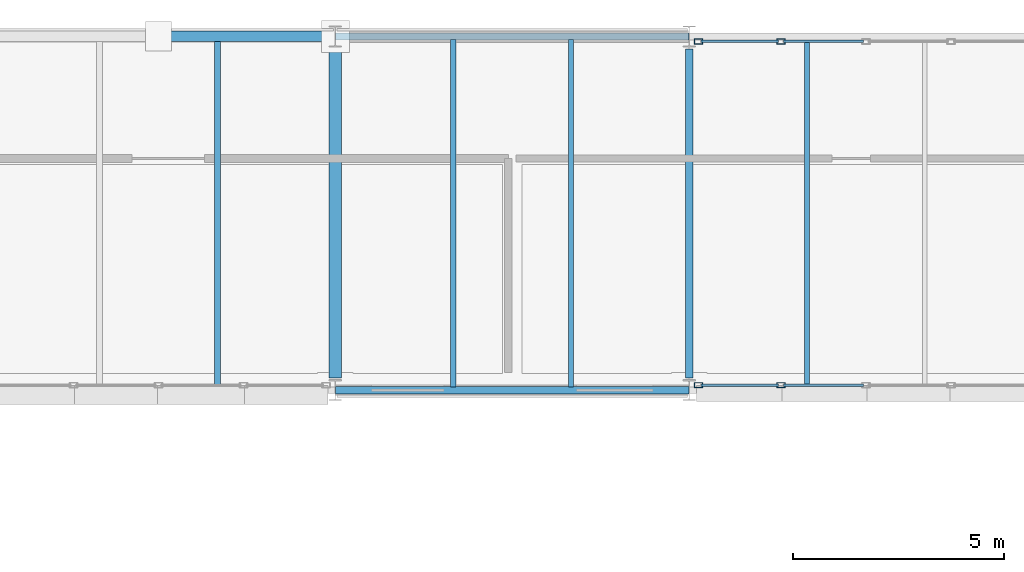
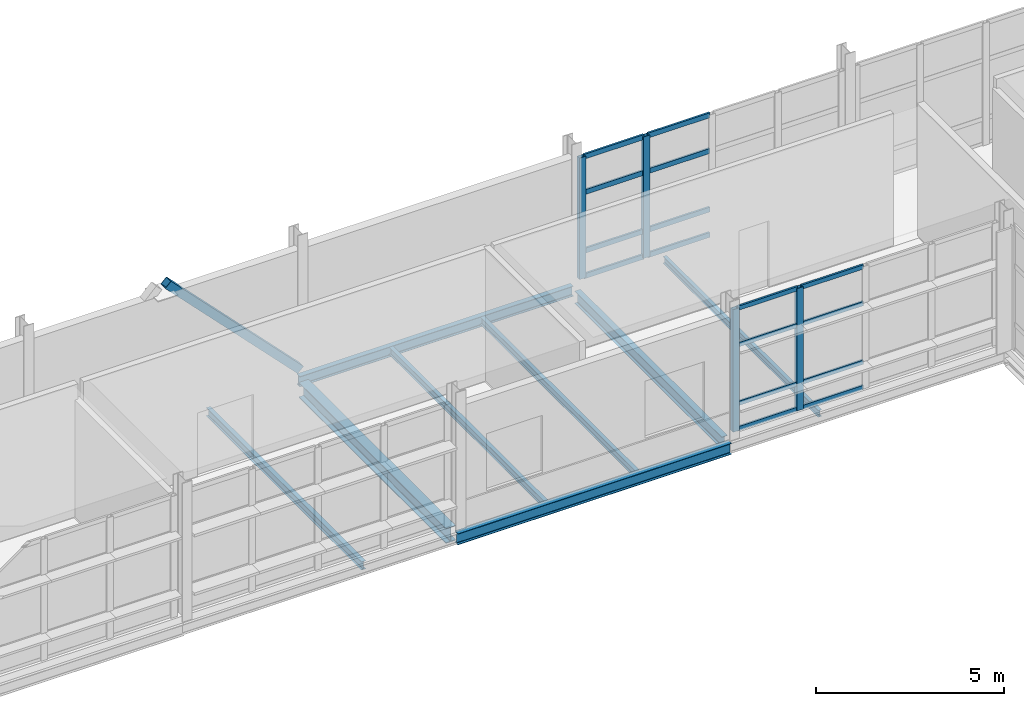
# One storey, part 53 of 129: 21 members, 8 beams, 2 elements without a shape of their own.
"""IFC4 building model written with IfcOpenShell, lengths in metres."""

from ifc_helpers import new_model, si_unit, direction, frame, origin, origin_2d, place, context, subcontext, project, spatial, hollow_rectangle, i_section, extrude, material, material_profile, profile_set, type_object, element, aggregate, save


model = new_model("IFC4")

# Units and contexts
model_context = context("Model", 3, precision=1e-05, world=origin(), true_north=direction((0.0, 1.0)))
body_context = subcontext(model_context, "Body", "Model", "MODEL_VIEW")
ifc_project = project(units=[si_unit("LENGTHUNIT", "METRE"), si_unit("AREAUNIT", "SQUARE_METRE"), si_unit("VOLUMEUNIT", "CUBIC_METRE"), si_unit("PLANEANGLEUNIT", "RADIAN"), si_unit("MASSUNIT", "GRAM", prefix="KILO")], contexts=[model_context])

# Site, building, storey
site_placement = place(None, origin())
site = spatial("IfcSite", under=ifc_project, at=site_placement, CompositionType="ELEMENT")
building_placement = place(site_placement, origin())
building = spatial("IfcBuilding", under=site, at=building_placement, Name="Mersafa Astral City Hall", CompositionType="ELEMENT")
storey_placement = place(building_placement, frame((0.0, 0.0, 5.39990234375)))
storey = spatial("IfcBuildingStorey", under=building, at=storey_placement, Name="L01", CompositionType="ELEMENT", Elevation=5.39990234375)

# Curtain wall, members
ifc_material_1 = material(Name="Anodised bronze aluminium framing", Category="aluminium")
curtain_wall_type_1 = type_object("IfcCurtainWallType", Name="ENV-CW-1", PredefinedType="USERDEFINED", material=ifc_material_1)
curtain_wall_1_placement = place(storey_placement, origin())
curtain_wall_1 = element("IfcCurtainWall", 1, at=curtain_wall_1_placement, inside=storey, type_object=curtain_wall_type_1, Name="L01 Unitised solar curtain wall 78", ObjectType="UNITISED CURTAIN WALL", PredefinedType="USERDEFINED")
ifc_material_profile_1 = material_profile(ifc_material_1, hollow_rectangle(XDim=0.1201171875, YDim=0.199951171875, WallThickness=0.008056640625, at=origin_2d()), Name="RHS 120x200x8")
ifc_profile_set_1 = profile_set([ifc_material_profile_1], Name="Anodised bronze aluminium framing")
member_type_1 = type_object("IfcMemberType", Name="ENV-CW-MUL-2", PredefinedType="MULLION", material=ifc_profile_set_1)
member_1_placement = place(storey_placement, frame((94.5810546875, 125.8798828125, -0.001953125), z_axis=(0.0, 0.0, 1.0), x_axis=(0.0, -1.0, 0.0)))
member_1 = element("IfcMember", 2, at=member_1_placement, type_object=member_type_1, Name="CW-1 mullion 4", PredefinedType="MULLION", context=body_context, shape_type="SweptSolid", body=[
    extrude(hollow_rectangle(XDim=0.1201171875, YDim=0.199951171875, WallThickness=0.008056640625, at=origin_2d()), origin(), (0.0, 0.0, 1.0), 3.93896484375),
])
member_2_placement = place(storey_placement, frame((92.6220703125, 125.8798828125, -0.001953125), z_axis=(0.0, 0.0, 1.0), x_axis=(0.0, -1.0, 0.0)))
member_2 = element("IfcMember", 3, at=member_2_placement, type_object=member_type_1, Name="CW-1 mullion 5", PredefinedType="MULLION", context=body_context, shape_type="SweptSolid", body=[
    extrude(hollow_rectangle(XDim=0.1201171875, YDim=0.199951171875, WallThickness=0.008056640625, at=origin_2d()), origin(), (0.0, 0.0, 1.0), 3.93896484375),
])

curtain_wall_type_2 = type_object("IfcCurtainWallType", Name="ENV-CW-6", PredefinedType="USERDEFINED", material=ifc_material_1)
curtain_wall_2_placement = place(storey_placement, origin())
curtain_wall_2 = element("IfcCurtainWall", 4, at=curtain_wall_2_placement, inside=storey, type_object=curtain_wall_type_2, Name="L01 Unitised solar curtain wall 89", ObjectType="UNITISED CURTAIN WALL", PredefinedType="USERDEFINED")
member_3_placement = place(storey_placement, frame((92.6220703125, 117.719970703125, -0.001953125), z_axis=(0.0, 0.0, 1.0), x_axis=(0.0, 1.0, 0.0)))
member_3 = element("IfcMember", 5, at=member_3_placement, type_object=member_type_1, Name="CW-6 mullion 1", PredefinedType="MULLION", context=body_context, shape_type="SweptSolid", body=[
    extrude(hollow_rectangle(XDim=0.1201171875, YDim=0.199951171875, WallThickness=0.008056640625, at=origin_2d()), origin(), (0.0, 0.0, 1.0), 3.968994140625),
])
member_4_placement = place(storey_placement, frame((94.5810546875, 117.719970703125, -0.001953125), z_axis=(0.0, 0.0, 1.0), x_axis=(0.0, 1.0, 0.0)))
member_4 = element("IfcMember", 6, at=member_4_placement, type_object=member_type_1, Name="CW-6 mullion 2", PredefinedType="MULLION", context=body_context, shape_type="SweptSolid", body=[
    extrude(hollow_rectangle(XDim=0.1201171875, YDim=0.199951171875, WallThickness=0.008056640625, at=origin_2d()), origin(), (0.0, 0.0, 1.0), 3.968994140625),
])
ifc_material_profile_2 = material_profile(ifc_material_1, hollow_rectangle(XDim=0.06005859375, YDim=0.139892578125, WallThickness=0.00390625, at=origin_2d()), Name="RHS 60x140x4")
ifc_profile_set_2 = profile_set([ifc_material_profile_2], Name="Anodised bronze aluminium framing")
member_type_2 = type_object("IfcMemberType", Name="ENV-CW-TRN-1", PredefinedType="USERDEFINED", material=ifc_profile_set_2)
member_5_placement = place(storey_placement, frame((92.681884765625, 117.719970703125, 0.028076171875), z_axis=(1.0, 0.0, 0.0), x_axis=(0.0, 1.0, 0.0)))
member_5 = element("IfcMember", 7, at=member_5_placement, type_object=member_type_2, Name="CW-6 transom 1.1", ObjectType="TRANSOM", PredefinedType="USERDEFINED", context=body_context, shape_type="SweptSolid", body=[
    extrude(hollow_rectangle(XDim=0.06005859375, YDim=0.139892578125, WallThickness=0.00390625, at=origin_2d()), origin(), (0.0, 0.0, 1.0), 1.839111328125),
])
member_6_placement = place(storey_placement, frame((92.681884765625, 117.719970703125, 0.85009765625), z_axis=(1.0, 0.0, 0.0), x_axis=(0.0, 1.0, 0.0)))
member_6 = element("IfcMember", 8, at=member_6_placement, type_object=member_type_2, Name="CW-6 transom 1.2", ObjectType="TRANSOM", PredefinedType="USERDEFINED", context=body_context, shape_type="SweptSolid", body=[
    extrude(hollow_rectangle(XDim=0.06005859375, YDim=0.139892578125, WallThickness=0.00390625, at=origin_2d()), origin(), (0.0, 0.0, 1.0), 1.839111328125),
])
member_7_placement = place(storey_placement, frame((92.681884765625, 117.719970703125, 2.75), z_axis=(1.0, 0.0, 0.0), x_axis=(0.0, 1.0, 0.0)))
member_7 = element("IfcMember", 9, at=member_7_placement, type_object=member_type_2, Name="CW-6 transom 1.3", ObjectType="TRANSOM", PredefinedType="USERDEFINED", context=body_context, shape_type="SweptSolid", body=[
    extrude(hollow_rectangle(XDim=0.06005859375, YDim=0.139892578125, WallThickness=0.00390625, at=origin_2d()), origin(), (0.0, 0.0, 1.0), 1.839111328125),
])
member_8_placement = place(storey_placement, frame((92.681884765625, 117.719970703125, 3.93701171875), z_axis=(1.0, 0.0, 0.0), x_axis=(0.0, 1.0, 0.0)))
member_8 = element("IfcMember", 10, at=member_8_placement, type_object=member_type_2, Name="CW-6 transom 1.4", ObjectType="TRANSOM", PredefinedType="USERDEFINED", context=body_context, shape_type="SweptSolid", body=[
    extrude(hollow_rectangle(XDim=0.06005859375, YDim=0.139892578125, WallThickness=0.00390625, at=origin_2d()), origin(), (0.0, 0.0, 1.0), 1.839111328125),
])
member_9_placement = place(storey_placement, frame((94.64111328125, 117.719970703125, 0.028076171875), z_axis=(1.0, 0.0, 0.0), x_axis=(0.0, 1.0, 0.0)))
member_9 = element("IfcMember", 11, at=member_9_placement, type_object=member_type_2, Name="CW-6 transom 2.1", ObjectType="TRANSOM", PredefinedType="USERDEFINED", context=body_context, shape_type="SweptSolid", body=[
    extrude(hollow_rectangle(XDim=0.06005859375, YDim=0.139892578125, WallThickness=0.00390625, at=origin_2d()), origin(), (0.0, 0.0, 1.0), 1.89892578125),
])
member_10_placement = place(storey_placement, frame((94.64111328125, 117.719970703125, 0.85009765625), z_axis=(1.0, 0.0, 0.0), x_axis=(0.0, 1.0, 0.0)))
member_10 = element("IfcMember", 12, at=member_10_placement, type_object=member_type_2, Name="CW-6 transom 2.2", ObjectType="TRANSOM", PredefinedType="USERDEFINED", context=body_context, shape_type="SweptSolid", body=[
    extrude(hollow_rectangle(XDim=0.06005859375, YDim=0.139892578125, WallThickness=0.00390625, at=origin_2d()), origin(), (0.0, 0.0, 1.0), 1.89892578125),
])
member_11_placement = place(storey_placement, frame((94.64111328125, 117.719970703125, 2.75), z_axis=(1.0, 0.0, 0.0), x_axis=(0.0, 1.0, 0.0)))
member_11 = element("IfcMember", 13, at=member_11_placement, type_object=member_type_2, Name="CW-6 transom 2.3", ObjectType="TRANSOM", PredefinedType="USERDEFINED", context=body_context, shape_type="SweptSolid", body=[
    extrude(hollow_rectangle(XDim=0.06005859375, YDim=0.139892578125, WallThickness=0.00390625, at=origin_2d()), origin(), (0.0, 0.0, 1.0), 1.89892578125),
])
member_12_placement = place(storey_placement, frame((94.64111328125, 117.719970703125, 3.93701171875), z_axis=(1.0, 0.0, 0.0), x_axis=(0.0, 1.0, 0.0)))
member_12 = element("IfcMember", 14, at=member_12_placement, type_object=member_type_2, Name="CW-6 transom 2.4", ObjectType="TRANSOM", PredefinedType="USERDEFINED", context=body_context, shape_type="SweptSolid", body=[
    extrude(hollow_rectangle(XDim=0.06005859375, YDim=0.139892578125, WallThickness=0.00390625, at=origin_2d()), origin(), (0.0, 0.0, 1.0), 1.89892578125),
])
aggregate(curtain_wall_2, [member_3, member_4, member_5, member_6, member_7, member_8, member_9, member_10, member_11, member_12])

# Member
ifc_material_profile_3 = material_profile(ifc_material_1, hollow_rectangle(XDim=0.06005859375, YDim=0.159912109375, WallThickness=0.00390625, at=origin_2d()), Name="RHS 60x160x4")
ifc_profile_set_3 = profile_set([ifc_material_profile_3], Name="Anodised bronze aluminium framing")
member_type_3 = type_object("IfcMemberType", Name="ENV-CW-TRN-2", PredefinedType="USERDEFINED", material=ifc_profile_set_3)
member_13_placement = place(storey_placement, frame((96.5400390625, 125.8798828125, 0.028076171875), z_axis=(-1.0, 0.0, 0.0), x_axis=(0.0, -1.0, 0.0)))
member_13 = element("IfcMember", 15, at=member_13_placement, type_object=member_type_3, Name="CW-1 transom 3.1", ObjectType="TRANSOM", PredefinedType="USERDEFINED", context=body_context, shape_type="SweptSolid", body=[
    extrude(hollow_rectangle(XDim=0.06005859375, YDim=0.159912109375, WallThickness=0.00390625, at=origin_2d()), origin(), (0.0, 0.0, 1.0), 1.89892578125),
])

member_14_placement = place(storey_placement, frame((96.5400390625, 125.8798828125, 0.85009765625), z_axis=(-1.0, 0.0, 0.0), x_axis=(0.0, -1.0, 0.0)))
member_14 = element("IfcMember", 16, at=member_14_placement, type_object=member_type_3, Name="CW-1 transom 3.2", ObjectType="TRANSOM", PredefinedType="USERDEFINED", context=body_context, shape_type="SweptSolid", body=[
    extrude(hollow_rectangle(XDim=0.06005859375, YDim=0.159912109375, WallThickness=0.00390625, at=origin_2d()), origin(), (0.0, 0.0, 1.0), 1.89892578125),
])

member_15_placement = place(storey_placement, frame((96.5400390625, 125.8798828125, 2.75), z_axis=(-1.0, 0.0, 0.0), x_axis=(0.0, -1.0, 0.0)))
member_15 = element("IfcMember", 17, at=member_15_placement, type_object=member_type_3, Name="CW-1 transom 3.3", ObjectType="TRANSOM", PredefinedType="USERDEFINED", context=body_context, shape_type="SweptSolid", body=[
    extrude(hollow_rectangle(XDim=0.06005859375, YDim=0.159912109375, WallThickness=0.00390625, at=origin_2d()), origin(), (0.0, 0.0, 1.0), 1.89892578125),
])

member_16_placement = place(storey_placement, frame((96.5400390625, 125.8798828125, 3.906982421875), z_axis=(-1.0, 0.0, 0.0), x_axis=(0.0, -1.0, 0.0)))
member_16 = element("IfcMember", 18, at=member_16_placement, type_object=member_type_3, Name="CW-1 transom 3.4", ObjectType="TRANSOM", PredefinedType="USERDEFINED", context=body_context, shape_type="SweptSolid", body=[
    extrude(hollow_rectangle(XDim=0.06005859375, YDim=0.159912109375, WallThickness=0.00390625, at=origin_2d()), origin(), (0.0, 0.0, 1.0), 1.89892578125),
])

member_17_placement = place(storey_placement, frame((94.52099609375, 125.8798828125, 0.028076171875), z_axis=(-1.0, 0.0, 0.0), x_axis=(0.0, -1.0, 0.0)))
member_17 = element("IfcMember", 19, at=member_17_placement, type_object=member_type_3, Name="CW-1 transom 4.1", ObjectType="TRANSOM", PredefinedType="USERDEFINED", context=body_context, shape_type="SweptSolid", body=[
    extrude(hollow_rectangle(XDim=0.06005859375, YDim=0.159912109375, WallThickness=0.00390625, at=origin_2d()), origin(), (0.0, 0.0, 1.0), 1.839111328125),
])

member_18_placement = place(storey_placement, frame((94.52099609375, 125.8798828125, 0.85009765625), z_axis=(-1.0, 0.0, 0.0), x_axis=(0.0, -1.0, 0.0)))
member_18 = element("IfcMember", 20, at=member_18_placement, type_object=member_type_3, Name="CW-1 transom 4.2", ObjectType="TRANSOM", PredefinedType="USERDEFINED", context=body_context, shape_type="SweptSolid", body=[
    extrude(hollow_rectangle(XDim=0.06005859375, YDim=0.159912109375, WallThickness=0.00390625, at=origin_2d()), origin(), (0.0, 0.0, 1.0), 1.839111328125),
])

member_19_placement = place(storey_placement, frame((94.52099609375, 125.8798828125, 2.75), z_axis=(-1.0, 0.0, 0.0), x_axis=(0.0, -1.0, 0.0)))
member_19 = element("IfcMember", 21, at=member_19_placement, type_object=member_type_3, Name="CW-1 transom 4.3", ObjectType="TRANSOM", PredefinedType="USERDEFINED", context=body_context, shape_type="SweptSolid", body=[
    extrude(hollow_rectangle(XDim=0.06005859375, YDim=0.159912109375, WallThickness=0.00390625, at=origin_2d()), origin(), (0.0, 0.0, 1.0), 1.839111328125),
])

member_20_placement = place(storey_placement, frame((94.52099609375, 125.8798828125, 3.906982421875), z_axis=(-1.0, 0.0, 0.0), x_axis=(0.0, -1.0, 0.0)))
member_20 = element("IfcMember", 22, at=member_20_placement, type_object=member_type_3, Name="CW-1 transom 4.4", ObjectType="TRANSOM", PredefinedType="USERDEFINED", context=body_context, shape_type="SweptSolid", body=[
    extrude(hollow_rectangle(XDim=0.06005859375, YDim=0.159912109375, WallThickness=0.00390625, at=origin_2d()), origin(), (0.0, 0.0, 1.0), 1.839111328125),
])

aggregate(curtain_wall_1, [member_1, member_2, member_13, member_14, member_15, member_16, member_17, member_18, member_19, member_20])

# Beams
ifc_material_2 = material(Name="Steel S355", Category="steel")
ifc_material_profile_4 = material_profile(ifc_material_2, i_section(OverallWidth=0.300048828125, OverallDepth=0.489990234375, WebThickness=0.011962890625, FlangeThickness=0.02294921875, FilletRadius=0.027099609375, at=origin_2d()), Name="HEA 500")
ifc_profile_set_4 = profile_set([ifc_material_profile_4], Name="Steel S355")
beam_type_1 = type_object("IfcBeamType", Name="STR-BM-HEA500", PredefinedType="BEAM", material=ifc_profile_set_4)
beam_1_placement = place(storey_placement, frame((84.0, 117.89501953125, -0.469970703125), z_axis=(0.0, 1.0, 0.0), x_axis=(-1.0, 0.0, 0.0)))
element("IfcBeam", 23, at=beam_1_placement, inside=storey, type_object=beam_type_1, Name="L01 Primary girder Y 10-14", PredefinedType="BEAM", context=body_context, shape_type="SweptSolid", body=[
    extrude(i_section(OverallWidth=0.300048828125, OverallDepth=0.489990234375, WebThickness=0.011962890625, FlangeThickness=0.02294921875, FilletRadius=0.027099609375, at=origin_2d()), origin(), (0.0, 0.0, 1.0), 7.81005859375),
])
ifc_material_profile_5 = material_profile(ifc_material_2, i_section(OverallWidth=0.179931640625, OverallDepth=0.39990234375, WebThickness=0.008544921875, FlangeThickness=0.013427734375, FilletRadius=0.02099609375, at=origin_2d()), Name="IPE 400")
ifc_profile_set_5 = profile_set([ifc_material_profile_5], Name="Steel S355")
beam_type_2 = type_object("IfcBeamType", Name="STR-BM-IPE400", PredefinedType="BEAM", material=ifc_profile_set_5)
beam_2_placement = place(storey_placement, frame((92.39990234375, 117.89501953125, -0.4248046875), z_axis=(0.0, 1.0, 0.0), x_axis=(-1.0, 0.0, 0.0)))
element("IfcBeam", 24, at=beam_2_placement, inside=storey, type_object=beam_type_2, Name="L01 Primary girder Y 11-14", PredefinedType="BEAM", context=body_context, shape_type="SweptSolid", body=[
    extrude(i_section(OverallWidth=0.179931640625, OverallDepth=0.39990234375, WebThickness=0.008544921875, FlangeThickness=0.013427734375, FilletRadius=0.02099609375, at=origin_2d()), origin(), (0.0, 0.0, 1.0), 7.81005859375),
])
ifc_material_profile_6 = material_profile(ifc_material_2, i_section(OverallWidth=0.110107421875, OverallDepth=0.219970703125, WebThickness=0.005859375, FlangeThickness=0.00927734375, FilletRadius=0.011962890625, at=origin_2d()), Name="IPE 220")
ifc_profile_set_6 = profile_set([ifc_material_profile_6], Name="Steel S355")
beam_type_3 = type_object("IfcBeamType", Name="STR-BM-JOIST-IPE220", PredefinedType="JOIST", material=ifc_profile_set_6)
beam_3_placement = place(storey_placement, frame((95.199951171875, 117.675048828125, -0.3349609375), z_axis=(0.0, 1.0, 0.0), x_axis=(-1.0, 0.0, 0.0)))
element("IfcBeam", 25, at=beam_3_placement, inside=storey, type_object=beam_type_3, Name="L01 Composite secondary floor joist 284", PredefinedType="JOIST", context=body_context, shape_type="SweptSolid", body=[
    extrude(i_section(OverallWidth=0.110107421875, OverallDepth=0.219970703125, WebThickness=0.005859375, FlangeThickness=0.00927734375, FilletRadius=0.011962890625, at=origin_2d()), origin(), (0.0, 0.0, 1.0), 8.244873046875),
])
ifc_material_profile_7 = material_profile(ifc_material_2, i_section(OverallWidth=0.1201171875, OverallDepth=0.239990234375, WebThickness=0.006103515625, FlangeThickness=0.009765625, FilletRadius=0.014892578125, at=origin_2d()), Name="IPE 240")
ifc_profile_set_7 = profile_set([ifc_material_profile_7], Name="Steel S355")
beam_type_4 = type_object("IfcBeamType", Name="STR-BM-JOIST-IPE240", PredefinedType="JOIST", material=ifc_profile_set_7)
for number, where, z_axis, x_axis, name in (
    (26, (86.800048828125, 117.679931640625, -0.344970703125), (0.0, 1.0, 0.0), (-1.0, 0.0, 0.0), "L01 Composite secondary floor joist 266"),
    (27, (89.60009765625, 117.679931640625, -0.344970703125), (0.0, 1.0, 0.0), (-1.0, 0.0, 0.0), "L01 Composite secondary floor joist 267"),
):
    element("IfcBeam", number, at=place(storey_placement, frame(where, z_axis=z_axis, x_axis=x_axis)), inside=storey, type_object=beam_type_4, Name=name, PredefinedType="JOIST", context=body_context, shape_type="SweptSolid", body=[
        extrude(i_section(OverallWidth=0.1201171875, OverallDepth=0.239990234375, WebThickness=0.006103515625, FlangeThickness=0.009765625, FilletRadius=0.014892578125, at=origin_2d()), origin(), (0.0, 0.0, 1.0), 8.2451171875),
    ])
ifc_material_profile_8 = material_profile(ifc_material_2, i_section(OverallWidth=0.135009765625, OverallDepth=0.27001953125, WebThickness=0.006591796875, FlangeThickness=0.01025390625, FilletRadius=0.014892578125, at=origin_2d()), Name="IPE 270")
ifc_profile_set_8 = profile_set([ifc_material_profile_8], Name="Steel S355")
beam_type_5 = type_object("IfcBeamType", Name="STR-BM-JOIST-IPE270", PredefinedType="JOIST", material=ifc_profile_set_8)
beam_4_placement = place(storey_placement, frame((81.199951171875, 117.675048828125, -0.35986328125), z_axis=(0.0, 1.0, 0.0), x_axis=(-1.0, 0.0, 0.0)))
element("IfcBeam", 28, at=beam_4_placement, inside=storey, type_object=beam_type_5, Name="L01 Composite secondary floor joist 261", PredefinedType="JOIST", context=body_context, shape_type="SweptSolid", body=[
    extrude(i_section(OverallWidth=0.135009765625, OverallDepth=0.27001953125, WebThickness=0.006591796875, FlangeThickness=0.01025390625, FilletRadius=0.014892578125, at=origin_2d()), origin(), (0.0, 0.0, 1.0), 8.244873046875),
])
ifc_material_profile_9 = material_profile(ifc_material_2, i_section(OverallWidth=0.159912109375, OverallDepth=0.330078125, WebThickness=0.007568359375, FlangeThickness=0.011474609375, FilletRadius=0.01806640625, at=origin_2d()), Name="IPE 330")
ifc_profile_set_9 = profile_set([ifc_material_profile_9], Name="Steel S355")
beam_type_6 = type_object("IfcBeamType", Name="STR-BM-SPANDREL-IPE330", PredefinedType="SPANDREL", material=ifc_profile_set_9)
beam_5_placement = place(storey_placement, frame((84.0029296875, 126.0, -0.389892578125), z_axis=(1.0, 0.0, 0.0), x_axis=(0.0, 1.0, 0.0)))
element("IfcBeam", 29, at=beam_5_placement, inside=storey, type_object=beam_type_6, Name="L01 Primary girder X 10-15", PredefinedType="SPANDREL", context=body_context, shape_type="SweptSolid", body=[
    extrude(i_section(OverallWidth=0.159912109375, OverallDepth=0.330078125, WebThickness=0.007568359375, FlangeThickness=0.011474609375, FilletRadius=0.01806640625, at=origin_2d()), origin(), (0.0, 0.0, 1.0), 8.39404296875),
])
ifc_material_profile_10 = material_profile(ifc_material_2, i_section(OverallWidth=0.169921875, OverallDepth=0.360107421875, WebThickness=0.008056640625, FlangeThickness=0.0126953125, FilletRadius=0.01806640625, at=origin_2d()), Name="IPE 360")
ifc_profile_set_10 = profile_set([ifc_material_profile_10], Name="Steel S355")
beam_type_7 = type_object("IfcBeamType", Name="STR-BM-SPANDREL-IPE360", PredefinedType="SPANDREL", material=ifc_profile_set_10)
beam_6_placement = place(storey_placement, frame((84.0029296875, 117.60009765625, -0.40478515625), z_axis=(1.0, 0.0, 0.0), x_axis=(0.0, 1.0, 0.0)))
element("IfcBeam", 30, at=beam_6_placement, inside=storey, type_object=beam_type_7, Name="L01 Primary girder X 10-14", PredefinedType="SPANDREL", context=body_context, shape_type="SweptSolid", body=[
    extrude(i_section(OverallWidth=0.169921875, OverallDepth=0.360107421875, WebThickness=0.008056640625, FlangeThickness=0.0126953125, FilletRadius=0.01806640625, at=origin_2d()), origin(), (0.0, 0.0, 1.0), 8.39404296875),
])

# Member
ifc_material_profile_11 = material_profile(ifc_material_2, hollow_rectangle(XDim=0.25, YDim=0.25, WallThickness=0.012451171875, at=origin_2d()), Name="RHS 250x250x12.5")
ifc_profile_set_11 = profile_set([ifc_material_profile_11], Name="Steel S355")
member_type_4 = type_object("IfcMemberType", Name="STR-MBR-STRUT-RHS250", PredefinedType="BRACE", material=ifc_profile_set_11)
member_21_placement = place(storey_placement, frame((84.001953125, 126.0, 0.02001953125), z_axis=(-0.696897735077, 0.0, 0.717170514484), x_axis=(0.0, -1.0, 0.0)))
element("IfcMember", 31, at=member_21_placement, inside=storey, type_object=member_type_4, Name="L01 Chevron lateral brace 9B", PredefinedType="BRACE", context=body_context, shape_type="SweptSolid", body=[
    extrude(hollow_rectangle(XDim=0.25, YDim=0.25, WallThickness=0.012451171875, at=origin_2d()), origin(), (0.0, 0.0, 1.0), 5.82861328125),
])

save(model, "model.ifc")
